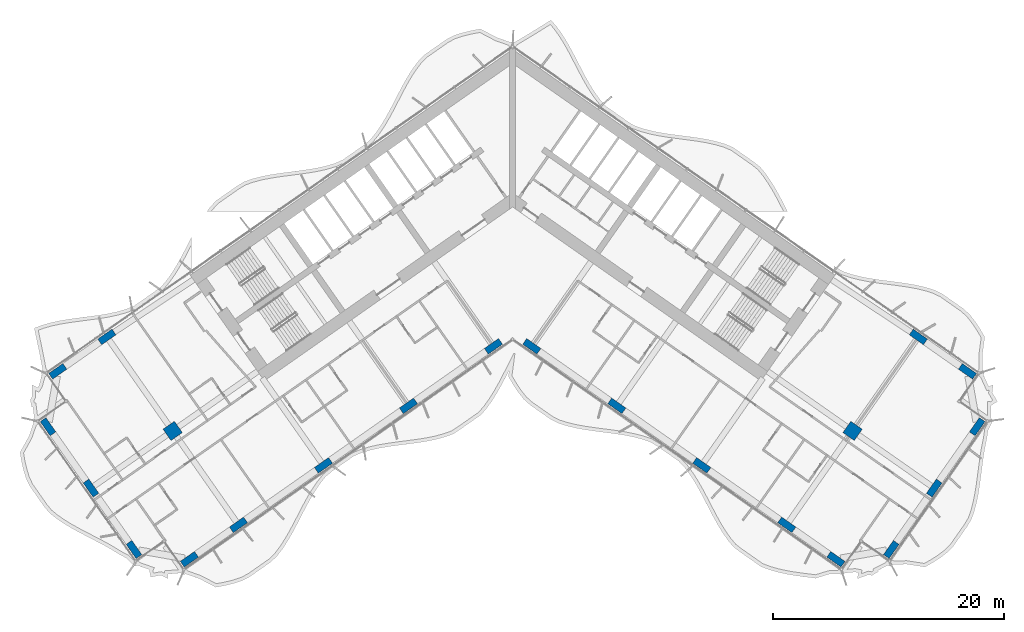
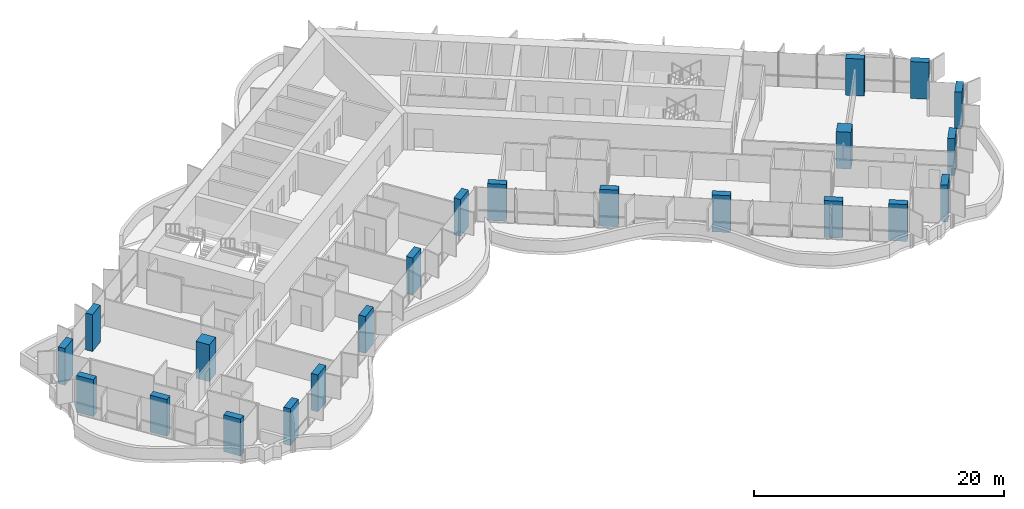
# One storey, part 1 of 22: 22 columns.
"""IFC4 building model written with IfcOpenShell, lengths in metres."""

from ifc_helpers import new_model, si_unit, direction, frame, origin, origin_2d, place, context, subcontext, project, spatial, rectangle, extrude, material, material_profile, profile_set, type_object, element, save


model = new_model("IFC4")

# Units and contexts
model_context = context("Model", 3, precision=1e-05, world=origin(), true_north=direction((0.0, 1.0)))
body_context = subcontext(model_context, "Body", "Model", "MODEL_VIEW")
ifc_project = project(units=[si_unit("LENGTHUNIT", "METRE"), si_unit("AREAUNIT", "SQUARE_METRE"), si_unit("VOLUMEUNIT", "CUBIC_METRE"), si_unit("PLANEANGLEUNIT", "RADIAN"), si_unit("MASSUNIT", "GRAM", prefix="KILO")], contexts=[model_context])

# Site, building, storey
site_placement = place(None, origin())
site = spatial("IfcSite", under=ifc_project, at=site_placement, CompositionType="ELEMENT")
building_placement = place(site_placement, origin())
building = spatial("IfcBuilding", under=site, at=building_placement, Name="Tel Ilan Convention Tower", CompositionType="ELEMENT")
storey_placement = place(building_placement, frame((0.0, 0.0, 122.89990234375)))
storey = spatial("IfcBuildingStorey", under=building, at=storey_placement, Name="L27", CompositionType="ELEMENT", Elevation=122.89990234375)

# Columns
ifc_material_1 = material(Name="Concrete C60/75", Category="concrete")
ifc_material_profile_1 = material_profile(ifc_material_1, rectangle(XDim=1.199951171875, YDim=1.199951171875, at=origin_2d()), Name="RC 1200x1200")
ifc_profile_set_1 = profile_set([ifc_material_profile_1], Name="Concrete C60/75")
column_type_1 = type_object("IfcColumnType", Name="Column RC 1200x1200 C60/75", PredefinedType="COLUMN", material=ifc_profile_set_1)
for number, where, z_axis, x_axis, name in (
    (1, (-29.489501953125, -20.648681640625, 0.0), (0.0, 0.0, 1.0), (-0.819152044289, -0.573576436351, 0.0), "L27 column W-M4"),
    (2, (29.489501953125, -20.648681640625, 0.0), (0.0, 0.0, 1.0), (0.819152044289, -0.573576436351, 0.0), "L27 column E-M4"),
):
    element("IfcColumn", number, at=place(storey_placement, frame(where, z_axis=z_axis, x_axis=x_axis)), inside=storey, type_object=column_type_1, Name=name, PredefinedType="COLUMN", context=body_context, shape_type="SweptSolid", body=[
        extrude(rectangle(XDim=1.199951171875, YDim=1.199951171875, at=origin_2d()), origin(), (0.0, 0.0, 1.0), 3.60009765625),
    ])
ifc_material_2 = material(Name="Concrete C60/75", Category="concrete")
ifc_material_profile_2 = material_profile(ifc_material_2, rectangle(XDim=1.5, YDim=0.60009765625, at=origin_2d()), Name="RC 600x1500")
ifc_profile_set_2 = profile_set([ifc_material_profile_2], Name="Concrete C60/75")
column_type_2 = type_object("IfcColumnType", Name="Column RC 600x1500 C60/75", PredefinedType="COLUMN", material=ifc_profile_set_2)
for number, where, z_axis, x_axis, name in (
    (3, (-1.665283203125, -13.312744140625, 0.0), (0.0, 0.0, 1.0), (-0.819152044289, -0.573576436351, 0.0), "L27 column W-F1"),
    (4, (-9.03759765625, -18.474853515625, 0.0), (0.0, 0.0, 1.0), (-0.819152044289, -0.573576436351, 0.0), "L27 column W-F2"),
    (5, (-16.409912109375, -23.63720703125, 0.0), (0.0, 0.0, 1.0), (-0.819152044289, -0.573576436351, 0.0), "L27 column W-F3"),
    (6, (-23.782470703125, -28.79931640625, 0.0), (0.0, 0.0, 1.0), (-0.819152044289, -0.573576436351, 0.0), "L27 column W-F4"),
    (7, (-28.0419921875, -31.781982421875, 0.0), (0.0, 0.0, 1.0), (-0.819152044289, -0.573576436351, 0.0), "L27 column W-FC"),
    (8, (-35.196533203125, -12.498291015625, 0.0), (0.0, 0.0, 1.0), (-0.819152044289, -0.573576436351, 0.0), "L27 column W-B4"),
    (9, (-39.4560546875, -15.480712890625, 0.0), (0.0, 0.0, 1.0), (-0.819152044289, -0.573576436351, 0.0), "L27 column W-BC"),
    (10, (-32.846923828125, -30.934814453125, 0.0), (0.0, 0.0, 1.0), (-0.573576436351, 0.819152044289, 0.0), "L27 column W-E1"),
    (11, (-36.5751953125, -25.610107421875, 0.0), (0.0, 0.0, 1.0), (-0.573576436351, 0.819152044289, 0.0), "L27 column W-E2"),
    (12, (-40.303466796875, -20.28564453125, 0.0), (0.0, 0.0, 1.0), (-0.573576436351, 0.819152044289, 0.0), "L27 column W-E3"),
    (13, (1.665283203125, -13.312744140625, 0.0), (0.0, 0.0, 1.0), (0.819152044289, -0.573576436351, 0.0), "L27 column E-F1"),
    (14, (9.03759765625, -18.474853515625, 0.0), (0.0, 0.0, 1.0), (0.819152044289, -0.573576436351, 0.0), "L27 column E-F2"),
    (15, (16.409912109375, -23.63720703125, 0.0), (0.0, 0.0, 1.0), (0.819152044289, -0.573576436351, 0.0), "L27 column E-F3"),
    (16, (23.782470703125, -28.79931640625, 0.0), (0.0, 0.0, 1.0), (0.819152044289, -0.573576436351, 0.0), "L27 column E-F4"),
    (17, (28.0419921875, -31.781982421875, 0.0), (0.0, 0.0, 1.0), (0.819152044289, -0.573576436351, 0.0), "L27 column E-FC"),
    (18, (35.196533203125, -12.498291015625, 0.0), (0.0, 0.0, 1.0), (0.819152044289, -0.573576436351, 0.0), "L27 column E-B4"),
    (19, (39.4560546875, -15.480712890625, 0.0), (0.0, 0.0, 1.0), (0.819152044289, -0.573576436351, 0.0), "L27 column E-BC"),
    (20, (32.846923828125, -30.934814453125, 0.0), (0.0, 0.0, 1.0), (0.573576436351, 0.819152044289, 0.0), "L27 column E-E1"),
    (21, (36.5751953125, -25.610107421875, 0.0), (0.0, 0.0, 1.0), (0.573576436351, 0.819152044289, 0.0), "L27 column E-E2"),
    (22, (40.303466796875, -20.28564453125, 0.0), (0.0, 0.0, 1.0), (0.573576436351, 0.819152044289, 0.0), "L27 column E-E3"),
):
    element("IfcColumn", number, at=place(storey_placement, frame(where, z_axis=z_axis, x_axis=x_axis)), inside=storey, type_object=column_type_2, Name=name, PredefinedType="COLUMN", context=body_context, shape_type="SweptSolid", body=[
        extrude(rectangle(XDim=1.5, YDim=0.60009765625, at=origin_2d()), origin(), (0.0, 0.0, 1.0), 3.60009765625),
    ])

save(model, "model.ifc")
